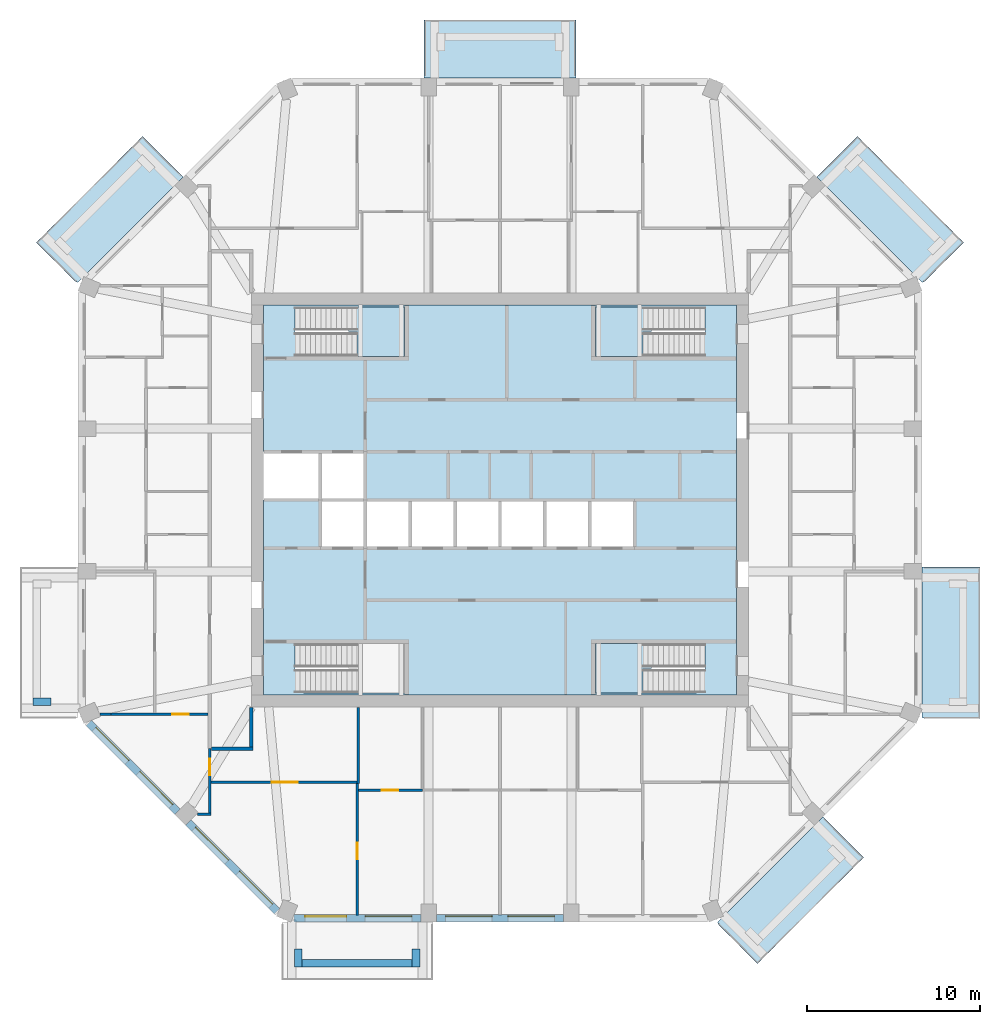
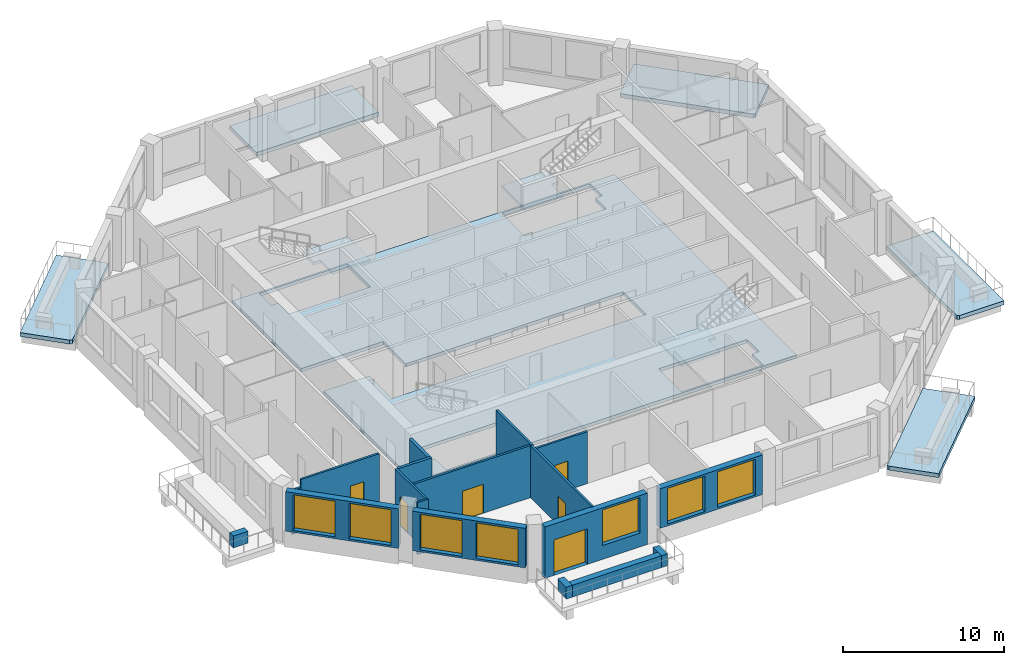
# One storey, part 2 of 10: 18 walls, 9 slabs, 7 windows, 6 doors, 13 openings, 3 elements without a shape of their own.
"""IFC4 building model written with IfcOpenShell, lengths in metres."""

import ifcopenshell
import ifcopenshell.guid

model = None  # the IFC model being written
_history = None  # IfcOwnerHistory: only IFC2X3 demands one
_inside = {}  # id of a spatial element -> (the spatial element, [elements in it])
_under = {}  # id of a project, library or spatial element -> (it, [spatial elements below it])
_declared = {}  # id of a project -> (the project, [libraries it declares])
_typed = {}  # id of a type object -> (the type object, [elements of that type])
_made_of = {}  # id of a material, layer set ... -> (it, [elements and type objects made of it])


def new_model(schema):
    """Start an empty IFC model of exactly this schema.

    Asked for "IFC4X3", IfcOpenShell would pick the latest addendum, in which some entities
    have other attributes; the version numbers below select the first issue.
    IFC2X3 requires an IfcOwnerHistory on every rooted entity: one is made here for all.
    """
    global model, _history
    if schema == "IFC4X3":
        model = ifcopenshell.file(schema_version=(4, 3, 0, 0))
    else:
        model = ifcopenshell.file(schema=schema)
    _inside.clear()
    _under.clear()
    _declared.clear()
    _typed.clear()
    _made_of.clear()
    _history = None
    if model.schema == "IFC2X3":
        org = make("IfcOrganization", Name="unknown")
        user = make(
            "IfcPersonAndOrganization",
            ThePerson=make("IfcPerson", FamilyName="unknown"),
            TheOrganization=org,
        )
        app = make(
            "IfcApplication",
            ApplicationDeveloper=org,
            Version="unknown",
            ApplicationFullName="unknown",
            ApplicationIdentifier="unknown",
        )
        _history = make(
            "IfcOwnerHistory",
            OwningUser=user,
            OwningApplication=app,
            ChangeAction="ADDED",
            CreationDate=0,
        )
    return model


def make(cls, **values):
    """One entity of the class cls with the attributes given. An attribute that is None is left unset."""
    return model.create_entity(
        cls, **{name: value for name, value in values.items() if value is not None}
    )


def rooted(cls, **values):
    """An entity with a GlobalId (a new one), such as an element, a storey or a relation."""
    return make(cls, GlobalId=ifcopenshell.guid.new(), OwnerHistory=_history, **values)


def si_unit(unit_type, name, prefix=None):
    """IfcSIUnit, for example si_unit("LENGTHUNIT", "METRE", prefix="MILLI")."""
    return make("IfcSIUnit", UnitType=unit_type, Prefix=prefix, Name=name)


def assignment(units):
    """IfcUnitAssignment: the units of a project."""
    return None if units is None else make("IfcUnitAssignment", Units=units)


def point(xyz):
    """IfcCartesianPoint."""
    return None if xyz is None else make("IfcCartesianPoint", Coordinates=xyz)


def direction(xyz):
    """IfcDirection."""
    return None if xyz is None else make("IfcDirection", DirectionRatios=xyz)


def frame(location, z_axis=None, x_axis=None):
    """IfcAxis2Placement3D, a coordinate frame: its origin and axes. An axis left out is left unset."""
    return make(
        "IfcAxis2Placement3D",
        Location=point(location),
        Axis=direction(z_axis),
        RefDirection=direction(x_axis),
    )


def frame_2d(location, x_axis=None):
    """IfcAxis2Placement2D, a coordinate frame in the plane: its origin and x axis."""
    return make(
        "IfcAxis2Placement2D", Location=point(location), RefDirection=direction(x_axis)
    )


def origin():
    """The frame at (0, 0, 0) with its axes left unset."""
    return frame((0.0, 0.0, 0.0))


def place(relative_to, where):
    """IfcLocalPlacement: puts the frame where relative to a parent placement (None: the world)."""
    return make(
        "IfcLocalPlacement", PlacementRelTo=relative_to, RelativePlacement=where
    )


def context(
    kind, dimensions, precision=None, world=None, true_north=None, identifier=None
):
    """IfcGeometricRepresentationContext, for example the 3D "Model" context."""
    return make(
        "IfcGeometricRepresentationContext",
        ContextIdentifier=identifier,
        ContextType=kind,
        CoordinateSpaceDimension=dimensions,
        Precision=precision,
        WorldCoordinateSystem=world,
        TrueNorth=true_north,
    )


def subcontext(parent, identifier, kind, view, scale=None):
    """IfcGeometricRepresentationSubContext, for example "Body" below "Model"."""
    return make(
        "IfcGeometricRepresentationSubContext",
        ContextIdentifier=identifier,
        ContextType=kind,
        ParentContext=parent,
        TargetScale=scale,
        TargetView=view,
    )


def project(units=None, contexts=None):
    """IfcProject with its units and contexts."""
    return rooted(
        "IfcProject",
        Name="project",
        RepresentationContexts=contexts,
        UnitsInContext=assignment(units),
    )


def spatial(cls, under=None, at=None, **own):
    """A site, building, storey or space (cls), placed at a placement, below another one or the project."""
    s = rooted(cls, ObjectPlacement=at, **own)
    if under is not None:
        _under.setdefault(under.id(), (under, []))[1].append(s)
    return s


def polyline(points):
    """IfcPolyline through the points."""
    return make("IfcPolyline", Points=[point(p) for p in points])


def profile(cls, at=None, kind="AREA", **sizes):
    """A parametric profile (cls). Its sizes go by their IFC names, for example OverallWidth=200.0."""
    return make(cls, ProfileType=kind, Position=at, **sizes)


def rectangle(**sizes):
    """IfcRectangleProfileDef."""
    return profile("IfcRectangleProfileDef", **sizes)


def outline(outer, holes=None, kind="AREA"):
    """IfcArbitraryClosedProfileDef: a profile drawn as a closed curve; with holes, ...WithVoids."""
    if holes is None:
        return make("IfcArbitraryClosedProfileDef", ProfileType=kind, OuterCurve=outer)
    return make(
        "IfcArbitraryProfileDefWithVoids",
        ProfileType=kind,
        OuterCurve=outer,
        InnerCurves=holes,
    )


def extrude(swept, where, along, depth):
    """IfcExtrudedAreaSolid: the profile swept, set in the frame where, extruded along a direction by depth."""
    return make(
        "IfcExtrudedAreaSolid",
        SweptArea=swept,
        Position=where,
        ExtrudedDirection=direction(along),
        Depth=depth,
    )


def shape(context_of_items, identifier, shape_type, items):
    """IfcShapeRepresentation: the items that make up one representation, for example the "Body"."""
    return make(
        "IfcShapeRepresentation",
        ContextOfItems=context_of_items,
        RepresentationIdentifier=identifier,
        RepresentationType=shape_type,
        Items=items,
    )


def material(Name=None, Category=None):
    """IfcMaterial."""
    return make("IfcMaterial", Name=Name, Category=Category)


def layer(
    of_material, thickness, ventilated=None, Name=None, Category=None, Priority=None
):
    """IfcMaterialLayer: one layer of a wall or slab, of a material (None: an air gap)."""
    return make(
        "IfcMaterialLayer",
        Material=of_material,
        LayerThickness=thickness,
        IsVentilated=ventilated,
        Name=Name,
        Category=Category,
        Priority=Priority,
    )


def layer_set(layers, Name=None):
    """IfcMaterialLayerSet."""
    return make("IfcMaterialLayerSet", MaterialLayers=layers, LayerSetName=Name)


def made_of(thing, what):
    """Note that an element or type object is made of a material, layer set ...; save() writes the relation."""
    if what is not None:
        _made_of.setdefault(what.id(), (what, []))[1].append(thing)
    return thing


def type_object(cls, material=None, **own):
    """A type object (cls), such as IfcWallType, which elements share."""
    return made_of(rooted(cls, **own), material)


def element(
    cls,
    number,
    at=None,
    inside=None,
    cuts=None,
    type_object=None,
    material=None,
    context=None,
    identifier="Body",
    shape_type=None,
    held_by="IfcProductDefinitionShape",
    body=None,
    shapes=None,
    **own,
):
    """One element of the class cls, such as IfcWall. Its Tag is "e" and its number.

    at: its placement. inside: the storey or other place that contains it. cuts: it is an
    opening in that element (IfcRelVoidsElement). A single representation is given by context,
    identifier, shape_type and body (its items); several are given by shapes. held_by: the class
    of the entity that holds the representations. save() writes the other relations.
    """
    e = rooted(cls, Tag="e%d" % number, ObjectPlacement=at, **own)
    if body is not None:
        shapes = [shape(context, identifier, shape_type, body)]
    if shapes is not None:
        e.Representation = make(held_by, Representations=shapes)
    if inside is not None:
        _inside.setdefault(inside.id(), (inside, []))[1].append(e)
    if cuts is not None:
        rooted(
            "IfcRelVoidsElement", RelatingBuildingElement=cuts, RelatedOpeningElement=e
        )
    if type_object is not None:
        _typed.setdefault(type_object.id(), (type_object, []))[1].append(e)
    return made_of(e, material)


def fill(opening, filler):
    """IfcRelFillsElement: the door or window that sits in an opening."""
    return rooted(
        "IfcRelFillsElement",
        RelatingOpeningElement=opening,
        RelatedBuildingElement=filler,
    )


def aggregate(whole, parts):
    """IfcRelAggregates: a whole, such as a stair, and the parts it consists of."""
    return rooted("IfcRelAggregates", RelatingObject=whole, RelatedObjects=parts)


def save(model, path):
    """Write the relations noted so far, then the file.

    IfcRelAggregates (storeys below a building ...), IfcRelContainedInSpatialStructure (elements
    in a storey), IfcRelDefinesByType, IfcRelAssociatesMaterial and IfcRelDeclares: one each for
    every whole, place, type object, material and project.
    """
    for whole, parts in _under.values():
        aggregate(whole, parts)
    for where, things in _inside.values():
        rooted(
            "IfcRelContainedInSpatialStructure",
            RelatedElements=things,
            RelatingStructure=where,
        )
    for kind, things in _typed.values():
        rooted("IfcRelDefinesByType", RelatedObjects=things, RelatingType=kind)
    for what, things in _made_of.values():
        rooted("IfcRelAssociatesMaterial", RelatedObjects=things, RelatingMaterial=what)
    for by, libraries in _declared.values():
        rooted("IfcRelDeclares", RelatingContext=by, RelatedDefinitions=libraries)
    model.write(path)


model = new_model("IFC4")

# Units and contexts
model_context = context("Model", 3, precision=1e-05, world=origin(), true_north=direction((0.0, 1.0)))
body_context = subcontext(model_context, "Body", "Model", "MODEL_VIEW")
ifc_project = project(units=[si_unit("LENGTHUNIT", "METRE"), si_unit("AREAUNIT", "SQUARE_METRE"), si_unit("VOLUMEUNIT", "CUBIC_METRE"), si_unit("PLANEANGLEUNIT", "RADIAN"), si_unit("MASSUNIT", "GRAM", prefix="KILO")], contexts=[model_context])

# Site, building, storey
site_placement = place(None, origin())
site = spatial("IfcSite", under=ifc_project, at=site_placement, CompositionType="ELEMENT")
building_placement = place(site_placement, origin())
building = spatial("IfcBuilding", under=site, at=building_placement, Name="Msitu Wima Residences", CompositionType="ELEMENT")
storey_placement = place(building_placement, frame((0.0, 0.0, 195.89990234375)))
storey = spatial("IfcBuildingStorey", under=building, at=storey_placement, Name="L45", CompositionType="ELEMENT", Elevation=195.89990234375)

# Slabs
ifc_material_1 = material(Name="Concrete C40/50", Category="concrete")
ifc_layer_1 = layer(ifc_material_1, 0.300048828125)
ifc_layer_set_1 = layer_set([ifc_layer_1], Name="Concrete C40/50")
slab_type_1 = type_object("IfcSlabType", Name="Balcony slab BS300", PredefinedType="FLOOR", material=ifc_layer_set_1)
slab_1_placement = place(storey_placement, frame((0.0, 0.0, -0.2998046875)))
element("IfcSlab", 1, at=slab_1_placement, inside=storey, type_object=slab_type_1, Name="Balcony E0 L45", PredefinedType="FLOOR", context=body_context, shape_type="SweptSolid", body=[
    extrude(outline(polyline([(24.449951171875, -12.111083984375), (24.449951171875, -12.111083984375), (24.449951171875, -4.587158203125), (24.449951171875, -4.587158203125), (24.449951171875, -3.88720703125), (27.800048828125, -3.88720703125), (27.800048828125, -12.661865234375), (24.603515625, -12.661865234375), (24.449951171875, -12.59814453125), (24.449951171875, -12.111083984375), (24.449951171875, -12.111083984375)])), origin(), (0.0, 0.0, 1.0), 0.2998046875),
])
slab_2_placement = place(storey_placement, frame((0.0, 0.0, -0.2998046875)))
element("IfcSlab", 2, at=slab_2_placement, inside=storey, type_object=slab_type_1, Name="Balcony NE0 L45", PredefinedType="FLOOR", context=body_context, shape_type="SweptSolid", body=[
    extrude(outline(polyline([(24.10546875, 12.942626953125), (24.10546875, 12.942626953125), (18.347412109375, 18.700927734375), (20.716064453125, 21.069580078125), (26.86376953125, 14.922119140625), (24.603515625, 12.661865234375), (24.449951171875, 12.59814453125), (24.10546875, 12.942626953125), (24.10546875, 12.942626953125)])), origin(), (0.0, 0.0, 1.0), 0.2998046875),
])
slab_3_placement = place(storey_placement, frame((0.0, 0.0, -0.2998046875)))
element("IfcSlab", 3, at=slab_3_placement, inside=storey, type_object=slab_type_1, Name="Balcony N1 L45", PredefinedType="FLOOR", context=body_context, shape_type="SweptSolid", body=[
    extrude(outline(polyline([(3.687255859375, 24.449951171875), (-3.687255859375, 24.449951171875), (-4.38720703125, 24.449951171875), (-4.38720703125, 27.800048828125), (4.38720703125, 27.800048828125), (4.38720703125, 24.449951171875), (3.687255859375, 24.449951171875)])), origin(), (0.0, 0.0, 1.0), 0.2998046875),
])
slab_4_placement = place(storey_placement, frame((0.0, 0.0, -0.2998046875)))
element("IfcSlab", 4, at=slab_4_placement, inside=storey, type_object=slab_type_1, Name="Balcony NW1 L45", PredefinedType="FLOOR", context=body_context, shape_type="SweptSolid", body=[
    extrude(outline(polyline([(-24.10546875, 12.942626953125), (-24.10546875, 12.942626953125), (-24.449951171875, 12.59814453125), (-24.603515625, 12.661865234375), (-26.86376953125, 14.922119140625), (-20.716064453125, 21.069580078125), (-18.347412109375, 18.700927734375), (-24.10546875, 12.942626953125), (-24.10546875, 12.942626953125)])), origin(), (0.0, 0.0, 1.0), 0.2998046875),
])
slab_5_placement = place(storey_placement, frame((0.0, 0.0, -0.2998046875)))
element("IfcSlab", 5, at=slab_5_placement, inside=storey, type_object=slab_type_1, Name="Balcony SE0 L45", PredefinedType="FLOOR", context=body_context, shape_type="SweptSolid", body=[
    extrude(outline(polyline([(12.942626953125, -24.10546875), (12.942626953125, -24.10546875), (18.700927734375, -18.347412109375), (21.069580078125, -20.716064453125), (14.922119140625, -26.86376953125), (12.661865234375, -24.603515625), (12.59814453125, -24.449951171875), (12.942626953125, -24.10546875), (12.942626953125, -24.10546875)])), origin(), (0.0, 0.0, 1.0), 0.2998046875),
])
ifc_layer_2 = layer(ifc_material_1, 0.25)
ifc_layer_set_2 = layer_set([ifc_layer_2], Name="Concrete C40/50")
slab_type_2 = type_object("IfcSlabType", Name="Core floor CF250", PredefinedType="FLOOR", material=ifc_layer_set_2)
slab_6_placement = place(storey_placement, frame((0.0, 0.0, -0.25)))
element("IfcSlab", 6, at=slab_6_placement, inside=storey, type_object=slab_type_2, Name="Core floor", PredefinedType="FLOOR", context=body_context, shape_type="SweptSolid", body=[
    extrude(outline(polyline([(-13.699951171875, 11.300048828125), (-13.699951171875, 2.800048828125), (-10.39990234375, 2.800048828125), (-7.800048828125, 2.800048828125), (-7.800048828125, 0.0), (-5.199951171875, 0.0), (-2.60009765625, 0.0), (0.0, 0.0), (2.60009765625, 0.0), (5.199951171875, 0.0), (7.800048828125, 0.0), (7.800048828125, -2.800048828125), (5.199951171875, -2.800048828125), (2.60009765625, -2.800048828125), (0.0, -2.800048828125), (-2.60009765625, -2.800048828125), (-5.199951171875, -2.800048828125), (-7.800048828125, -2.800048828125), (-10.39990234375, -2.800048828125), (-10.39990234375, 0.0), (-13.699951171875, 0.0), (-13.699951171875, -11.300048828125), (13.699951171875, -11.300048828125), (13.699951171875, 11.300048828125), (-13.699951171875, 11.300048828125)]), holes=[polyline([(-11.375, -11.175048828125), (-11.375, -9.824951171875), (-11.87451171875, -9.824951171875), (-11.87451171875, -8.324951171875), (-5.52490234375, -8.324951171875), (-5.52490234375, -11.175048828125), (-11.375, -11.175048828125)]), polyline([(-11.375, 8.324951171875), (-11.375, 9.675048828125), (-11.87451171875, 9.675048828125), (-11.87451171875, 11.175048828125), (-5.52490234375, 11.175048828125), (-5.52490234375, 8.324951171875), (-11.375, 8.324951171875)]), polyline([(11.375, -9.824951171875), (11.375, -11.175048828125), (5.52490234375, -11.175048828125), (5.52490234375, -8.324951171875), (11.87451171875, -8.324951171875), (11.87451171875, -9.824951171875), (11.375, -9.824951171875)]), polyline([(11.375, 9.675048828125), (11.375, 8.324951171875), (5.52490234375, 8.324951171875), (5.52490234375, 11.175048828125), (11.87451171875, 11.175048828125), (11.87451171875, 9.675048828125), (11.375, 9.675048828125)])]), origin(), (0.0, 0.0, 1.0), 0.25),
])

# Stair, slab
stair_type = type_object("IfcStairType", Name="Exit stair ES1615-135", PredefinedType="HALF_TURN_STAIR", material=ifc_material_1)
stair_1_placement = place(storey_placement, origin())
stair_1 = element("IfcStair", 7, at=stair_1_placement, inside=storey, type_object=stair_type, Name="Exit stair 1", PredefinedType="HALF_TURN_STAIR")
ifc_layer_3 = layer(ifc_material_1, 0.199951171875)
ifc_layer_set_3 = layer_set([ifc_layer_3], Name="Concrete C40/50")
slab_type_3 = type_object("IfcSlabType", Name="Stair landing SL200", PredefinedType="LANDING", material=ifc_layer_set_3)
slab_7_placement = place(storey_placement, frame((0.0, 0.0, 1.900146484375)))
slab_7 = element("IfcSlab", 8, at=slab_7_placement, type_object=slab_type_3, Name="S1 landing 1", PredefinedType="LANDING", context=body_context, shape_type="SweptSolid", body=[
    extrude(outline(polyline([(-5.52490234375, 8.324951171875), (-8.275390625, 8.324951171875), (-8.275390625, 9.75), (-8.77490234375, 9.75), (-8.77490234375, 11.175048828125), (-5.52490234375, 11.175048828125), (-5.52490234375, 8.324951171875)])), origin(), (0.0, 0.0, 1.0), 0.199951171875),
])
aggregate(stair_1, [slab_7])

stair_2_placement = place(storey_placement, origin())
stair_2 = element("IfcStair", 9, at=stair_2_placement, inside=storey, type_object=stair_type, Name="Exit stair 3", PredefinedType="HALF_TURN_STAIR")
slab_8_placement = place(storey_placement, frame((0.0, 0.0, 1.900146484375)))
slab_8 = element("IfcSlab", 10, at=slab_8_placement, type_object=slab_type_3, Name="S3 landing 1", PredefinedType="LANDING", context=body_context, shape_type="SweptSolid", body=[
    extrude(outline(polyline([(5.52490234375, 8.324951171875), (8.275390625, 8.324951171875), (8.275390625, 9.75), (8.77490234375, 9.75), (8.77490234375, 11.175048828125), (5.52490234375, 11.175048828125), (5.52490234375, 8.324951171875)])), origin(), (0.0, 0.0, 1.0), 0.199951171875),
])
aggregate(stair_2, [slab_8])

stair_3_placement = place(storey_placement, origin())
stair_3 = element("IfcStair", 11, at=stair_3_placement, inside=storey, type_object=stair_type, Name="Exit stair 4", PredefinedType="HALF_TURN_STAIR")
slab_9_placement = place(storey_placement, frame((0.0, 0.0, 1.900146484375)))
slab_9 = element("IfcSlab", 12, at=slab_9_placement, type_object=slab_type_3, Name="S4 landing 1", PredefinedType="LANDING", context=body_context, shape_type="SweptSolid", body=[
    extrude(outline(polyline([(5.52490234375, -11.175048828125), (8.275390625, -11.175048828125), (8.275390625, -9.75), (8.77490234375, -9.75), (8.77490234375, -8.324951171875), (5.52490234375, -8.324951171875), (5.52490234375, -11.175048828125)])), origin(), (0.0, 0.0, 1.0), 0.199951171875),
])
aggregate(stair_3, [slab_9])

# Walls
ifc_material_2 = material(Name="Facing brick")
ifc_layer_4 = layer(ifc_material_2, 0.06494140625, Name="Facing brick")
ifc_layer_5 = layer(ifc_material_1, 0.156005859375, Name="Concrete C40/50")
ifc_material_3 = material(Name="Waterproofing membrane")
ifc_layer_6 = layer(ifc_material_3, 0.00390625, Name="Waterproofing membrane")
ifc_material_4 = material(Name="Planting soil and planting")
ifc_layer_7 = layer(ifc_material_4, 0.22509765625, Name="Planting soil and planting")
ifc_layer_set_4 = layer_set([ifc_layer_4, ifc_layer_5, ifc_layer_6, ifc_layer_7], Name="Concrete C40/50")
wall_type_1 = type_object("IfcWallType", Name="Balcony planter PLANTER PL450", PredefinedType="USERDEFINED", material=ifc_layer_set_4)
wall_1_placement = place(storey_placement, frame((-26.0, -11.686767578125, 0.0), z_axis=(0.0, 0.0, 1.0), x_axis=(-1.0, 0.0, 0.0)))
element("IfcWall", 13, at=wall_1_placement, inside=storey, type_object=wall_type_1, Name="Balcony planter W2 L45", ObjectType="PLANTER", PredefinedType="USERDEFINED", context=body_context, shape_type="SweptSolid", body=[
    extrude(rectangle(XDim=1.050048828125, YDim=0.449951171875, at=frame_2d((0.52490234375, 0.0))), origin(), (0.0, 0.0, 1.0), 0.900146484375),
])
wall_2_placement = place(storey_placement, frame((-11.461669921875, -26.824951171875, 0.0), z_axis=(0.0, 0.0, 1.0), x_axis=(1.0, 0.0, 0.0)))
element("IfcWall", 14, at=wall_2_placement, inside=storey, type_object=wall_type_1, Name="Balcony planter S0 L45", ObjectType="PLANTER", PredefinedType="USERDEFINED", context=body_context, shape_type="SweptSolid", body=[
    extrude(rectangle(XDim=6.37451171875, YDim=0.449951171875, at=frame_2d((3.187255859375, 0.0))), origin(), (0.0, 0.0, 1.0), 0.900146484375),
])
for number, where, z_axis, x_axis, name in (
    (15, (-11.686767578125, -26.0, 0.0), (0.0, 0.0, 1.0), (0.0, -1.0, 0.0), "Balcony planter S0 L45"),
    (16, (-4.8623046875, -26.0, 0.0), (0.0, 0.0, 1.0), (0.0, -1.0, 0.0), "Balcony planter S0 L45"),
):
    element("IfcWall", number, at=place(storey_placement, frame(where, z_axis=z_axis, x_axis=x_axis)), inside=storey, type_object=wall_type_1, Name=name, ObjectType="PLANTER", PredefinedType="USERDEFINED", context=body_context, shape_type="SweptSolid", body=[
        extrude(rectangle(XDim=1.050048828125, YDim=0.449951171875, at=frame_2d((0.52490234375, 0.0))), origin(), (0.0, 0.0, 1.0), 0.900146484375),
    ])

# Wall, openings, windows
ifc_material_5 = material(Name="Brick (red buff mix)", Category="masonry")
ifc_layer_8 = layer(ifc_material_5, 0.449951171875)
ifc_layer_set_5 = layer_set([ifc_layer_8], Name="Brick (red buff mix)")
wall_type_2 = type_object("IfcWallType", Name="Brick infill wall BW450", PredefinedType="SOLIDWALL", material=ifc_layer_set_5)
wall_3_placement = place(storey_placement, frame((-23.814697265625, -12.915283203125, 0.900146484375), z_axis=(0.0, 0.0, 1.0), x_axis=(0.707106781187, -0.707106781187, 0.0)))
wall_3 = element("IfcWall", 17, at=wall_3_placement, inside=storey, type_object=wall_type_2, Name="Brick infill wall L45 SW0", PredefinedType="SOLIDWALL", context=body_context, shape_type="SweptSolid", body=[
    extrude(rectangle(XDim=7.257080078125, YDim=0.449951171875, at=frame_2d((3.62841796875, 0.0))), origin(), (0.0, 0.0, 1.0), 3.0),
])
opening_1_placement = place(wall_3_placement, frame((0.478515625, 0.0, 0.14990234375)))
opening_1 = element("IfcOpeningElement", 18, at=opening_1_placement, cuts=wall_3, Name="Opening W43-45.025", PredefinedType="OPENING", context=body_context, shape_type="SweptSolid", body=[
    extrude(rectangle(XDim=2.699951171875, YDim=2.699951171875, at=frame_2d((1.35009765625, 1.35009765625))), frame((0.0, 0.23486328125, 0.0), z_axis=(0.0, -1.0, 0.0), x_axis=(1.0, 0.0, 0.0)), (0.0, 0.0, 1.0), 0.469970703125),
])
opening_2_placement = place(wall_3_placement, frame((4.07861328125, 0.0, 0.14990234375)))
opening_2 = element("IfcOpeningElement", 19, at=opening_2_placement, cuts=wall_3, Name="Opening W43-45.026", PredefinedType="OPENING", context=body_context, shape_type="SweptSolid", body=[
    extrude(rectangle(XDim=2.699951171875, YDim=2.699951171875, at=frame_2d((1.35009765625, 1.35009765625))), frame((0.0, 0.23486328125, 0.0), z_axis=(0.0, -1.0, 0.0), x_axis=(1.0, 0.0, 0.0)), (0.0, 0.0, 1.0), 0.469970703125),
])
ifc_material_6 = material(Name="Anodised aluminium, bronze finish, clear low-emissivity double glazing", Category="aluminium")
window_type = type_object("IfcWindowType", Name="Window W2700x2700", PartitioningType="DOUBLE_PANEL_VERTICAL", PredefinedType="WINDOW", material=ifc_material_6)
window_1_placement = place(opening_1_placement, origin())
window_1 = element("IfcWindow", 20, at=window_1_placement, inside=storey, type_object=window_type, Name="Window L45 SW0.1", OverallHeight=2.699951171875, OverallWidth=2.699951171875, PartitioningType="SINGLE_PANEL", PredefinedType="WINDOW", context=body_context, shape_type="SweptSolid", body=[
    extrude(rectangle(XDim=2.699951171875, YDim=2.699951171875, at=frame_2d((1.35009765625, 1.35009765625))), frame((0.0, 0.135009765625, 0.0), z_axis=(0.0, -1.0, 0.0), x_axis=(1.0, 0.0, 0.0)), (0.0, 0.0, 1.0), 0.06005859375),
])
fill(opening_1, window_1)
window_2_placement = place(opening_2_placement, origin())
window_2 = element("IfcWindow", 21, at=window_2_placement, inside=storey, type_object=window_type, Name="Window L45 SW0.2", OverallHeight=2.699951171875, OverallWidth=2.699951171875, PartitioningType="SINGLE_PANEL", PredefinedType="WINDOW", context=body_context, shape_type="SweptSolid", body=[
    extrude(rectangle(XDim=2.699951171875, YDim=2.699951171875, at=frame_2d((1.35009765625, 1.35009765625))), frame((0.0, 0.135009765625, 0.0), z_axis=(0.0, -1.0, 0.0), x_axis=(1.0, 0.0, 0.0)), (0.0, 0.0, 1.0), 0.06005859375),
])
fill(opening_2, window_2)

wall_4_placement = place(storey_placement, frame((-18.046875, -18.68310546875, 0.900146484375), z_axis=(0.0, 0.0, 1.0), x_axis=(0.707106781187, -0.707106781187, 0.0)))
wall_4 = element("IfcWall", 22, at=wall_4_placement, inside=storey, type_object=wall_type_2, Name="Brick infill wall L45 SW1", PredefinedType="SOLIDWALL", context=body_context, shape_type="SweptSolid", body=[
    extrude(rectangle(XDim=7.257080078125, YDim=0.449951171875, at=frame_2d((3.62841796875, 0.0))), origin(), (0.0, 0.0, 1.0), 3.0),
])
opening_3_placement = place(wall_4_placement, frame((0.478515625, 0.0, 0.14990234375)))
opening_3 = element("IfcOpeningElement", 23, at=opening_3_placement, cuts=wall_4, Name="Opening W43-45.027", PredefinedType="OPENING", context=body_context, shape_type="SweptSolid", body=[
    extrude(rectangle(XDim=2.699951171875, YDim=2.699951171875, at=frame_2d((1.35009765625, 1.35009765625))), frame((0.0, 0.23486328125, 0.0), z_axis=(0.0, -1.0, 0.0), x_axis=(1.0, 0.0, 0.0)), (0.0, 0.0, 1.0), 0.469970703125),
])
opening_4_placement = place(wall_4_placement, frame((4.07861328125, 0.0, 0.14990234375)))
opening_4 = element("IfcOpeningElement", 24, at=opening_4_placement, cuts=wall_4, Name="Opening W43-45.028", PredefinedType="OPENING", context=body_context, shape_type="SweptSolid", body=[
    extrude(rectangle(XDim=2.699951171875, YDim=2.699951171875, at=frame_2d((1.35009765625, 1.35009765625))), frame((0.0, 0.23486328125, 0.0), z_axis=(0.0, -1.0, 0.0), x_axis=(1.0, 0.0, 0.0)), (0.0, 0.0, 1.0), 0.469970703125),
])
window_3_placement = place(opening_3_placement, origin())
window_3 = element("IfcWindow", 25, at=window_3_placement, inside=storey, type_object=window_type, Name="Window L45 SW1.1", OverallHeight=2.699951171875, OverallWidth=2.699951171875, PartitioningType="SINGLE_PANEL", PredefinedType="WINDOW", context=body_context, shape_type="SweptSolid", body=[
    extrude(rectangle(XDim=2.699951171875, YDim=2.699951171875, at=frame_2d((1.35009765625, 1.35009765625))), frame((0.0, 0.135009765625, 0.0), z_axis=(0.0, -1.0, 0.0), x_axis=(1.0, 0.0, 0.0)), (0.0, 0.0, 1.0), 0.06005859375),
])
fill(opening_3, window_3)
window_4_placement = place(opening_4_placement, origin())
window_4 = element("IfcWindow", 26, at=window_4_placement, inside=storey, type_object=window_type, Name="Window L45 SW1.2", OverallHeight=2.699951171875, OverallWidth=2.699951171875, PartitioningType="SINGLE_PANEL", PredefinedType="WINDOW", context=body_context, shape_type="SweptSolid", body=[
    extrude(rectangle(XDim=2.699951171875, YDim=2.699951171875, at=frame_2d((1.35009765625, 1.35009765625))), frame((0.0, 0.135009765625, 0.0), z_axis=(0.0, -1.0, 0.0), x_axis=(1.0, 0.0, 0.0)), (0.0, 0.0, 1.0), 0.06005859375),
])
fill(opening_4, window_4)

# Wall, openings, door, window
wall_5_placement = place(storey_placement, frame((-11.9248046875, -24.22509765625, 0.0), z_axis=(0.0, 0.0, 1.0), x_axis=(1.0, 0.0, 0.0)))
wall_5 = element("IfcWall", 27, at=wall_5_placement, inside=storey, type_object=wall_type_2, Name="Brick infill wall L45 S0", PredefinedType="SOLIDWALL", context=body_context, shape_type="SweptSolid", body=[
    extrude(rectangle(XDim=7.337646484375, YDim=0.449951171875, at=frame_2d((3.6689453125, 0.0))), origin(), (0.0, 0.0, 1.0), 3.900146484375),
])
opening_5_placement = place(wall_5_placement, frame((0.63427734375, 0.0, 0.0)))
opening_5 = element("IfcOpeningElement", 28, at=opening_5_placement, cuts=wall_5, Name="Opening D43-45.005", PredefinedType="OPENING", context=body_context, shape_type="SweptSolid", body=[
    extrude(rectangle(XDim=2.39990234375, YDim=2.699951171875, at=frame_2d((1.199951171875, 1.35009765625))), frame((0.0, 0.23486328125, 0.0), z_axis=(0.0, -1.0, 0.0), x_axis=(1.0, 0.0, 0.0)), (0.0, 0.0, 1.0), 0.469970703125),
])
opening_6_placement = place(wall_5_placement, frame((4.11865234375, 0.0, 1.050048828125)))
opening_6 = element("IfcOpeningElement", 29, at=opening_6_placement, cuts=wall_5, Name="Opening W43-45.017", PredefinedType="OPENING", context=body_context, shape_type="SweptSolid", body=[
    extrude(rectangle(XDim=2.699951171875, YDim=2.699951171875, at=frame_2d((1.35009765625, 1.35009765625))), frame((0.0, 0.23486328125, 0.0), z_axis=(0.0, -1.0, 0.0), x_axis=(1.0, 0.0, 0.0)), (0.0, 0.0, 1.0), 0.469970703125),
])
door_type_1 = type_object("IfcDoorType", Name="Balcony door D2400x2700", OperationType="SLIDING_TO_LEFT", PredefinedType="DOOR", material=ifc_material_6)
door_1_placement = place(opening_5_placement, origin())
door_1 = element("IfcDoor", 30, at=door_1_placement, inside=storey, type_object=door_type_1, Name="Balcony door L45 S0", OperationType="SINGLE_SWING_LEFT", OverallHeight=2.699951171875, OverallWidth=2.39990234375, PredefinedType="DOOR", context=body_context, shape_type="SweptSolid", body=[
    extrude(rectangle(XDim=2.39990234375, YDim=2.699951171875, at=frame_2d((1.199951171875, 1.35009765625))), frame((0.0, 0.1298828125, 0.0), z_axis=(0.0, -1.0, 0.0), x_axis=(1.0, 0.0, 0.0)), (0.0, 0.0, 1.0), 0.050048828125),
])
fill(opening_5, door_1)
window_5_placement = place(opening_6_placement, origin())
window_5 = element("IfcWindow", 31, at=window_5_placement, inside=storey, type_object=window_type, Name="Window L45 S0.2", OverallHeight=2.699951171875, OverallWidth=2.699951171875, PartitioningType="SINGLE_PANEL", PredefinedType="WINDOW", context=body_context, shape_type="SweptSolid", body=[
    extrude(rectangle(XDim=2.699951171875, YDim=2.699951171875, at=frame_2d((1.35009765625, 1.35009765625))), frame((0.0, 0.135009765625, 0.0), z_axis=(0.0, -1.0, 0.0), x_axis=(1.0, 0.0, 0.0)), (0.0, 0.0, 1.0), 0.06005859375),
])
fill(opening_6, window_5)

# Wall, openings, windows
wall_6_placement = place(storey_placement, frame((-3.687255859375, -24.22509765625, 0.900146484375), z_axis=(0.0, 0.0, 1.0), x_axis=(1.0, 0.0, 0.0)))
wall_6 = element("IfcWall", 32, at=wall_6_placement, inside=storey, type_object=wall_type_2, Name="Brick infill wall L45 S1", PredefinedType="SOLIDWALL", context=body_context, shape_type="SweptSolid", body=[
    extrude(rectangle(XDim=7.37451171875, YDim=0.449951171875, at=frame_2d((3.687255859375, 0.0))), origin(), (0.0, 0.0, 1.0), 3.0),
])
opening_7_placement = place(wall_6_placement, frame((0.537353515625, 0.0, 0.14990234375)))
opening_7 = element("IfcOpeningElement", 33, at=opening_7_placement, cuts=wall_6, Name="Opening W43-45.018", PredefinedType="OPENING", context=body_context, shape_type="SweptSolid", body=[
    extrude(rectangle(XDim=2.699951171875, YDim=2.699951171875, at=frame_2d((1.35009765625, 1.35009765625))), frame((0.0, 0.23486328125, 0.0), z_axis=(0.0, -1.0, 0.0), x_axis=(1.0, 0.0, 0.0)), (0.0, 0.0, 1.0), 0.469970703125),
])
opening_8_placement = place(wall_6_placement, frame((4.13720703125, 0.0, 0.14990234375)))
opening_8 = element("IfcOpeningElement", 34, at=opening_8_placement, cuts=wall_6, Name="Opening W43-45.019", PredefinedType="OPENING", context=body_context, shape_type="SweptSolid", body=[
    extrude(rectangle(XDim=2.699951171875, YDim=2.699951171875, at=frame_2d((1.35009765625, 1.35009765625))), frame((0.0, 0.23486328125, 0.0), z_axis=(0.0, -1.0, 0.0), x_axis=(1.0, 0.0, 0.0)), (0.0, 0.0, 1.0), 0.469970703125),
])
window_6_placement = place(opening_7_placement, origin())
window_6 = element("IfcWindow", 35, at=window_6_placement, inside=storey, type_object=window_type, Name="Window L45 S1.1", OverallHeight=2.699951171875, OverallWidth=2.699951171875, PartitioningType="SINGLE_PANEL", PredefinedType="WINDOW", context=body_context, shape_type="SweptSolid", body=[
    extrude(rectangle(XDim=2.699951171875, YDim=2.699951171875, at=frame_2d((1.35009765625, 1.35009765625))), frame((0.0, 0.135009765625, 0.0), z_axis=(0.0, -1.0, 0.0), x_axis=(1.0, 0.0, 0.0)), (0.0, 0.0, 1.0), 0.06005859375),
])
fill(opening_7, window_6)
window_7_placement = place(opening_8_placement, origin())
window_7 = element("IfcWindow", 36, at=window_7_placement, inside=storey, type_object=window_type, Name="Window L45 S1.2", OverallHeight=2.699951171875, OverallWidth=2.699951171875, PartitioningType="SINGLE_PANEL", PredefinedType="WINDOW", context=body_context, shape_type="SweptSolid", body=[
    extrude(rectangle(XDim=2.699951171875, YDim=2.699951171875, at=frame_2d((1.35009765625, 1.35009765625))), frame((0.0, 0.135009765625, 0.0), z_axis=(0.0, -1.0, 0.0), x_axis=(1.0, 0.0, 0.0)), (0.0, 0.0, 1.0), 0.06005859375),
])
fill(opening_8, window_7)

# Walls
ifc_material_7 = material(Name="Plaster")
ifc_layer_9 = layer(ifc_material_7, 0.011962890625, Name="Plaster")
ifc_material_8 = material(Name="Concrete blockwork", Category="masonry")
ifc_layer_10 = layer(ifc_material_8, 0.176025390625, Name="Concrete blockwork")
ifc_layer_11 = layer(ifc_material_7, 0.011962890625, Name="Plaster")
ifc_layer_set_6 = layer_set([ifc_layer_9, ifc_layer_10, ifc_layer_11], Name="Concrete blockwork")
wall_type_3 = type_object("IfcWallType", Name="Corridor wall FW200", PredefinedType="PARTITIONING", material=ifc_layer_set_6)
wall_7_placement = place(storey_placement, frame((-16.699951171875, -14.39990234375, 0.0), z_axis=(0.0, 0.0, 1.0), x_axis=(1.0, 0.0, 0.0)))
element("IfcWall", 37, at=wall_7_placement, inside=storey, type_object=wall_type_3, Name="Corridor wall", PredefinedType="PARTITIONING", context=body_context, shape_type="SweptSolid", body=[
    extrude(rectangle(XDim=2.39990234375, YDim=0.199951171875, at=frame_2d((1.199951171875, 0.0))), origin(), (0.0, 0.0, 1.0), 3.9501953125),
])
wall_8_placement = place(storey_placement, frame((-14.39990234375, -14.300048828125, 0.0), z_axis=(0.0, 0.0, 1.0), x_axis=(0.0, 1.0, 0.0)))
element("IfcWall", 38, at=wall_8_placement, inside=storey, type_object=wall_type_3, Name="Corridor wall", PredefinedType="PARTITIONING", context=body_context, shape_type="SweptSolid", body=[
    extrude(rectangle(XDim=2.27001953125, YDim=0.199951171875, at=frame_2d((1.135009765625, 0.0))), origin(), (0.0, 0.0, 1.0), 3.9501953125),
])
ifc_layer_12 = layer(ifc_material_7, 0.011962890625, Name="Plaster")
ifc_layer_13 = layer(ifc_material_8, 0.1259765625, Name="Concrete blockwork")
ifc_layer_14 = layer(ifc_material_7, 0.011962890625, Name="Plaster")
ifc_layer_set_7 = layer_set([ifc_layer_12, ifc_layer_13, ifc_layer_14], Name="Concrete blockwork")
wall_type_4 = type_object("IfcWallType", Name="Partition PW150", PredefinedType="PARTITIONING", material=ifc_layer_set_7)
wall_9_placement = place(storey_placement, frame((-23.169677734375, -12.409912109375, 0.0), z_axis=(0.0, 0.0, 1.0), x_axis=(1.0, 0.0, 0.0)))
element("IfcWall", 39, at=wall_9_placement, inside=storey, type_object=wall_type_4, Name="Partition", PredefinedType="PARTITIONING", context=body_context, shape_type="SweptSolid", body=[
    extrude(rectangle(XDim=0.640380859375, YDim=0.14990234375, at=frame_2d((0.3203125, 0.0))), origin(), (0.0, 0.0, 1.0), 3.35009765625),
])

# Wall, opening, door
wall_10_placement = place(storey_placement, frame((-22.529296875, -12.409912109375, 0.0), z_axis=(0.0, 0.0, 1.0), x_axis=(1.0, 0.0, 0.0)))
wall_10 = element("IfcWall", 40, at=wall_10_placement, inside=storey, type_object=wall_type_4, Name="Partition", PredefinedType="PARTITIONING", context=body_context, shape_type="SweptSolid", body=[
    extrude(rectangle(XDim=5.62939453125, YDim=0.14990234375, at=frame_2d((2.814697265625, 0.0))), origin(), (0.0, 0.0, 1.0), 3.9501953125),
])
opening_9_placement = place(wall_10_placement, frame((3.5595703125, 0.0, 0.0)))
opening_9 = element("IfcOpeningElement", 41, at=opening_9_placement, cuts=wall_10, Name="Opening D43-45.030", PredefinedType="OPENING", context=body_context, shape_type="SweptSolid", body=[
    extrude(rectangle(XDim=0.949951171875, YDim=2.199951171875, at=frame_2d((0.47509765625, 1.10009765625))), frame((0.0, 0.0849609375, 0.0), z_axis=(0.0, -1.0, 0.0), x_axis=(1.0, 0.0, 0.0)), (0.0, 0.0, 1.0), 0.169921875),
])
ifc_material_9 = material(Name="Timber flush door", Category="wood")
door_type_2 = type_object("IfcDoorType", Name="Room door D12 950x2200", OperationType="SINGLE_SWING_LEFT", PredefinedType="DOOR", material=ifc_material_9)
door_2_placement = place(opening_9_placement, origin())
door_2 = element("IfcDoor", 42, at=door_2_placement, inside=storey, type_object=door_type_2, Name="Room door", OperationType="SINGLE_SWING_LEFT", OverallHeight=2.199951171875, OverallWidth=0.949951171875, PredefinedType="DOOR", context=body_context, shape_type="SweptSolid", body=[
    extrude(rectangle(XDim=0.949951171875, YDim=2.199951171875, at=frame_2d((0.47509765625, 1.10009765625))), frame((0.0, 0.02490234375, 0.0), z_axis=(0.0, -1.0, 0.0), x_axis=(1.0, 0.0, 0.0)), (0.0, 0.0, 1.0), 0.050048828125),
])
fill(opening_9, door_2)

# Wall
wall_11_placement = place(storey_placement, frame((-17.509521484375, -18.205810546875, 0.0), z_axis=(0.0, 0.0, 1.0), x_axis=(1.0, 0.0, 0.0)))
element("IfcWall", 43, at=wall_11_placement, inside=storey, type_object=wall_type_4, Name="Partition", PredefinedType="PARTITIONING", context=body_context, shape_type="SweptSolid", body=[
    extrude(rectangle(XDim=0.784423828125, YDim=0.14990234375, at=frame_2d((0.39208984375, 0.0))), origin(), (0.0, 0.0, 1.0), 3.9501953125),
])

# Wall, opening, door
wall_12_placement = place(storey_placement, frame((-16.800048828125, -18.130859375, 0.0), z_axis=(0.0, 0.0, 1.0), x_axis=(0.0, 1.0, 0.0)))
wall_12 = element("IfcWall", 44, at=wall_12_placement, inside=storey, type_object=wall_type_4, Name="Partition", PredefinedType="PARTITIONING", context=body_context, shape_type="SweptSolid", body=[
    extrude(rectangle(XDim=3.73095703125, YDim=0.14990234375, at=frame_2d((1.865478515625, 0.0))), origin(), (0.0, 0.0, 1.0), 3.9501953125),
])
opening_10_placement = place(wall_12_placement, frame((2.199951171875, 0.0, 0.0)))
opening_10 = element("IfcOpeningElement", 45, at=opening_10_placement, cuts=wall_12, Name="Opening D43-45.047", PredefinedType="OPENING", context=body_context, shape_type="SweptSolid", body=[
    extrude(rectangle(XDim=0.949951171875, YDim=2.199951171875, at=frame_2d((0.47509765625, 1.10009765625))), frame((0.0, 0.0849609375, 0.0), z_axis=(0.0, -1.0, 0.0), x_axis=(1.0, 0.0, 0.0)), (0.0, 0.0, 1.0), 0.169921875),
])
door_3_placement = place(opening_10_placement, origin())
door_3 = element("IfcDoor", 46, at=door_3_placement, inside=storey, type_object=door_type_2, Name="Room door", OperationType="SINGLE_SWING_RIGHT", OverallHeight=2.199951171875, OverallWidth=0.949951171875, PredefinedType="DOOR", context=body_context, shape_type="SweptSolid", body=[
    extrude(rectangle(XDim=0.949951171875, YDim=2.199951171875, at=frame_2d((0.47509765625, 1.10009765625))), frame((0.0, 0.02490234375, 0.0), z_axis=(0.0, -1.0, 0.0), x_axis=(1.0, 0.0, 0.0)), (0.0, 0.0, 1.0), 0.050048828125),
])
fill(opening_10, door_3)

wall_13_placement = place(storey_placement, frame((-16.72509765625, -16.35009765625, 0.0), z_axis=(0.0, 0.0, 1.0), x_axis=(1.0, 0.0, 0.0)))
wall_13 = element("IfcWall", 47, at=wall_13_placement, inside=storey, type_object=wall_type_4, Name="Partition", PredefinedType="PARTITIONING", context=body_context, shape_type="SweptSolid", body=[
    extrude(rectangle(XDim=8.525634765625, YDim=0.14990234375, at=frame_2d((4.2626953125, 0.0))), origin(), (0.0, 0.0, 1.0), 3.9501953125),
])
opening_11_placement = place(wall_13_placement, frame((3.5, 0.0, 0.0)))
opening_11 = element("IfcOpeningElement", 48, at=opening_11_placement, cuts=wall_13, Name="Opening D43-45.048", PredefinedType="OPENING", context=body_context, shape_type="SweptSolid", body=[
    extrude(rectangle(XDim=1.5, YDim=2.199951171875, at=frame_2d((0.75, 1.10009765625))), frame((0.0, 0.0849609375, 0.0), z_axis=(0.0, -1.0, 0.0), x_axis=(1.0, 0.0, 0.0)), (0.0, 0.0, 1.0), 0.169921875),
])
ifc_material_10 = material(Name="Timber double door", Category="wood")
door_type_3 = type_object("IfcDoorType", Name="Double door D04 1500x2200", OperationType="DOUBLE_DOOR_SINGLE_SWING", PredefinedType="DOOR", material=ifc_material_10)
door_4_placement = place(opening_11_placement, origin())
door_4 = element("IfcDoor", 49, at=door_4_placement, inside=storey, type_object=door_type_3, Name="Double door", OperationType="DOUBLE_DOOR_SINGLE_SWING", OverallHeight=2.199951171875, OverallWidth=1.5, PredefinedType="DOOR", context=body_context, shape_type="SweptSolid", body=[
    extrude(rectangle(XDim=1.5, YDim=2.199951171875, at=frame_2d((0.75, 1.10009765625))), frame((0.0, 0.02490234375, 0.0), z_axis=(0.0, -1.0, 0.0), x_axis=(1.0, 0.0, 0.0)), (0.0, 0.0, 1.0), 0.050048828125),
])
fill(opening_11, door_4)

wall_14_placement = place(storey_placement, frame((-8.2744140625, -24.054931640625, 0.0), z_axis=(0.0, 0.0, 1.0), x_axis=(0.0, 1.0, 0.0)))
wall_14 = element("IfcWall", 50, at=wall_14_placement, inside=storey, type_object=wall_type_4, Name="Partition", PredefinedType="PARTITIONING", context=body_context, shape_type="SweptSolid", body=[
    extrude(rectangle(XDim=7.6298828125, YDim=0.14990234375, at=frame_2d((3.81494140625, 0.0))), origin(), (0.0, 0.0, 1.0), 3.9501953125),
])
opening_12_placement = place(wall_14_placement, frame((3.25, 0.0, 0.0)))
opening_12 = element("IfcOpeningElement", 51, at=opening_12_placement, cuts=wall_14, Name="Opening D43-45.034", PredefinedType="OPENING", context=body_context, shape_type="SweptSolid", body=[
    extrude(rectangle(XDim=0.949951171875, YDim=2.199951171875, at=frame_2d((0.47509765625, 1.10009765625))), frame((0.0, 0.0849609375, 0.0), z_axis=(0.0, -1.0, 0.0), x_axis=(1.0, 0.0, 0.0)), (0.0, 0.0, 1.0), 0.169921875),
])
door_5_placement = place(opening_12_placement, origin())
door_5 = element("IfcDoor", 52, at=door_5_placement, inside=storey, type_object=door_type_2, Name="Room door", OperationType="SINGLE_SWING_LEFT", OverallHeight=2.199951171875, OverallWidth=0.949951171875, PredefinedType="DOOR", context=body_context, shape_type="SweptSolid", body=[
    extrude(rectangle(XDim=0.949951171875, YDim=2.199951171875, at=frame_2d((0.47509765625, 1.10009765625))), frame((0.0, 0.02490234375, 0.0), z_axis=(0.0, -1.0, 0.0), x_axis=(1.0, 0.0, 0.0)), (0.0, 0.0, 1.0), 0.050048828125),
])
fill(opening_12, door_5)

wall_15_placement = place(storey_placement, frame((-8.199462890625, -16.800048828125, 0.0), z_axis=(0.0, 0.0, 1.0), x_axis=(1.0, 0.0, 0.0)))
wall_15 = element("IfcWall", 53, at=wall_15_placement, inside=storey, type_object=wall_type_4, Name="Partition", PredefinedType="PARTITIONING", context=body_context, shape_type="SweptSolid", body=[
    extrude(rectangle(XDim=3.699462890625, YDim=0.14990234375, at=frame_2d((1.849609375, 0.0))), origin(), (0.0, 0.0, 1.0), 3.9501953125),
])
opening_13_placement = place(wall_15_placement, frame((1.35009765625, 0.0, 0.0)))
opening_13 = element("IfcOpeningElement", 54, at=opening_13_placement, cuts=wall_15, Name="Opening D43-45.038", PredefinedType="OPENING", context=body_context, shape_type="SweptSolid", body=[
    extrude(rectangle(XDim=0.949951171875, YDim=2.199951171875, at=frame_2d((0.47509765625, 1.10009765625))), frame((0.0, 0.0849609375, 0.0), z_axis=(0.0, -1.0, 0.0), x_axis=(1.0, 0.0, 0.0)), (0.0, 0.0, 1.0), 0.169921875),
])
door_6_placement = place(opening_13_placement, origin())
door_6 = element("IfcDoor", 55, at=door_6_placement, inside=storey, type_object=door_type_2, Name="Room door", OperationType="SINGLE_SWING_RIGHT", OverallHeight=2.199951171875, OverallWidth=0.949951171875, PredefinedType="DOOR", context=body_context, shape_type="SweptSolid", body=[
    extrude(rectangle(XDim=0.949951171875, YDim=2.199951171875, at=frame_2d((0.47509765625, 1.10009765625))), frame((0.0, 0.02490234375, 0.0), z_axis=(0.0, -1.0, 0.0), x_axis=(1.0, 0.0, 0.0)), (0.0, 0.0, 1.0), 0.050048828125),
])
fill(opening_13, door_6)

# Wall
wall_16_placement = place(storey_placement, frame((-8.199951171875, -16.425048828125, 0.0), z_axis=(0.0, 0.0, 1.0), x_axis=(0.0, 1.0, 0.0)))
element("IfcWall", 56, at=wall_16_placement, inside=storey, type_object=wall_type_4, Name="Partition", PredefinedType="PARTITIONING", context=body_context, shape_type="SweptSolid", body=[
    extrude(rectangle(XDim=4.39501953125, YDim=0.14990234375, at=frame_2d((2.197509765625, 0.0))), origin(), (0.0, 0.0, 1.0), 3.9501953125),
])

save(model, "model.ifc")
